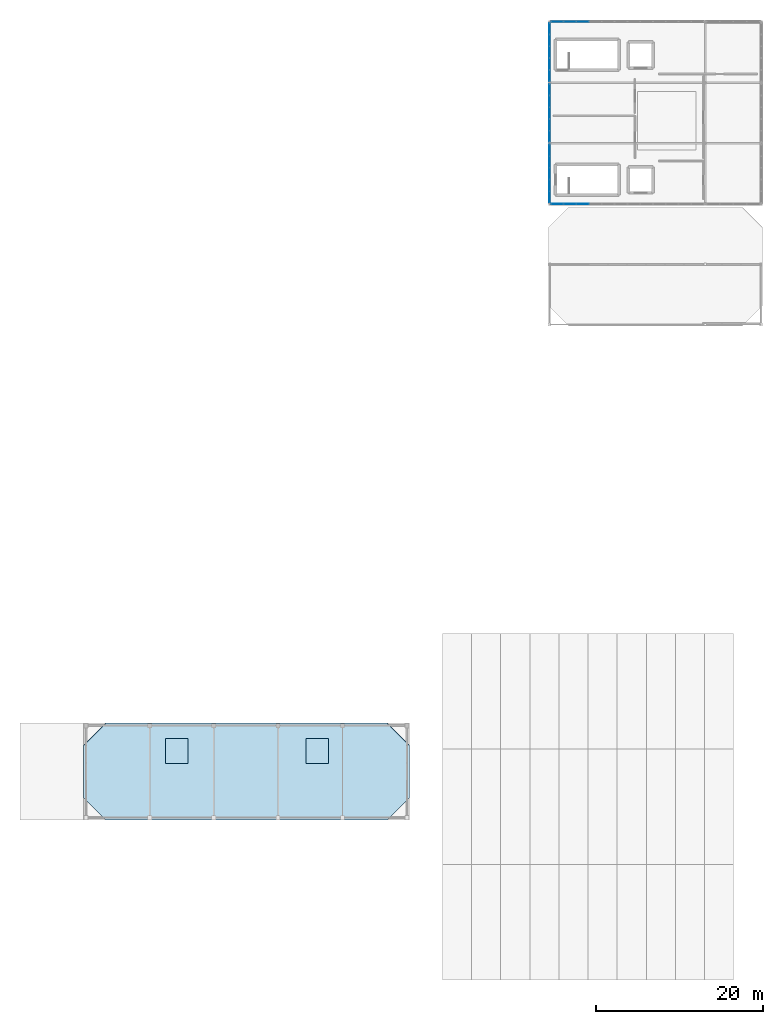
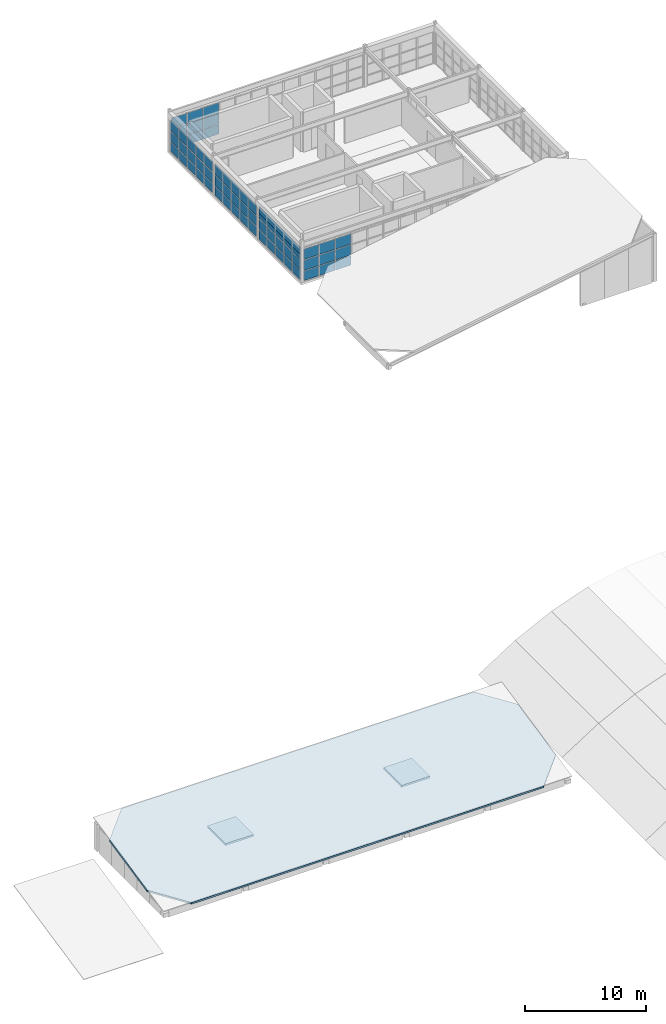
# One storey, part 14 of 19: 64 plates, 3 slabs, 5 elements without a shape of their own.
"""IFC4 building model written with IfcOpenShell, lengths in metres."""

from ifc_helpers import new_model, si_unit, direction, frame, origin, origin_2d, place, context, subcontext, project, spatial, polyline, rectangle, outline, extrude, material, layer, layer_set, type_object, element, aggregate, save


model = new_model("IFC4")

# Units and contexts
model_context = context("Model", 3, precision=1e-05, world=origin(), true_north=direction((0.0, 1.0)))
body_context = subcontext(model_context, "Body", "Model", "MODEL_VIEW")
ifc_project = project(units=[si_unit("LENGTHUNIT", "METRE"), si_unit("AREAUNIT", "SQUARE_METRE"), si_unit("VOLUMEUNIT", "CUBIC_METRE"), si_unit("PLANEANGLEUNIT", "RADIAN"), si_unit("MASSUNIT", "GRAM", prefix="KILO")], contexts=[model_context])

# Site, building, storey
site_placement = place(None, origin())
site = spatial("IfcSite", under=ifc_project, at=site_placement, CompositionType="ELEMENT")
building_placement = place(site_placement, origin())
building = spatial("IfcBuilding", under=site, at=building_placement, Name="Candilejo Ridge Gondola Terminal", CompositionType="ELEMENT")
storey_placement = place(building_placement, frame((0.0, 0.0, 22.800048828125)))
storey = spatial("IfcBuildingStorey", under=building, at=storey_placement, Name="L05", CompositionType="ELEMENT", Elevation=22.800048828125)

# Curtain wall, plates
ifc_material_1 = material(Name="Anodised aluminium AA 6063-T6", Category="aluminium")
ifc_layer_1 = layer(ifc_material_1, 0.169921875)
ifc_layer_set_1 = layer_set([ifc_layer_1], Name="ARC-CW-TOWER-3000-700X329")
curtain_wall_type_1 = type_object("IfcCurtainWallType", Name="ARC-CW-TOWER-3000-700X329", PredefinedType="NOTDEFINED", material=ifc_layer_set_1)
curtain_wall_1_placement = place(storey_placement, origin())
curtain_wall_1 = element("IfcCurtainWall", 1, at=curtain_wall_1_placement, inside=storey, type_object=curtain_wall_type_1, Name="Curtain wall V5 L05-226", PredefinedType="NOTDEFINED")
ifc_material_2 = material(Name="Low-E laminated double glazing 6+12A+6+1.52PVB+6 mm", Category="glass")
ifc_layer_2 = layer(ifc_material_2, 0.028076171875)
ifc_layer_set_2 = layer_set([ifc_layer_2], Name="ARC-CW-GLAZ-PANEL")
plate_type_1 = type_object("IfcPlateType", Name="ARC-CW-GLAZ-PANEL", PredefinedType="CURTAIN_PANEL", material=ifc_layer_set_2)
plate_1_placement = place(storey_placement, frame((150.0, 99.891357421875, 0.06005859375), z_axis=(0.0, 0.0, 1.0), x_axis=(0.0, 1.0, 0.0)))
plate_1 = element("IfcPlate", 2, at=plate_1_placement, type_object=plate_type_1, Name="CW-70X32 panel 1.1", PredefinedType="CURTAIN_PANEL", context=body_context, shape_type="SweptSolid", body=[
    extrude(rectangle(XDim=1.302490234375, YDim=0.028076171875, at=origin_2d()), origin(), (0.0, 0.0, 1.0), 0.9599609375),
])
plate_2_placement = place(storey_placement, frame((150.0, 99.891357421875, 1.079833984375), z_axis=(0.0, 0.0, 1.0), x_axis=(0.0, 1.0, 0.0)))
plate_2 = element("IfcPlate", 3, at=plate_2_placement, type_object=plate_type_1, Name="CW-70X32 panel 1.2", PredefinedType="CURTAIN_PANEL", context=body_context, shape_type="SweptSolid", body=[
    extrude(rectangle(XDim=1.302490234375, YDim=0.028076171875, at=origin_2d()), origin(), (0.0, 0.0, 1.0), 1.0400390625),
])
plate_3_placement = place(storey_placement, frame((150.0, 99.891357421875, 2.1796875), z_axis=(0.0, 0.0, 1.0), x_axis=(0.0, 1.0, 0.0)))
plate_3 = element("IfcPlate", 4, at=plate_3_placement, type_object=plate_type_1, Name="CW-70X32 panel 1.3", PredefinedType="CURTAIN_PANEL", context=body_context, shape_type="SweptSolid", body=[
    extrude(rectangle(XDim=1.302490234375, YDim=0.028076171875, at=origin_2d()), origin(), (0.0, 0.0, 1.0), 1.050048828125),
])
plate_4_placement = place(storey_placement, frame((150.0, 101.27490234375, 0.06005859375), z_axis=(0.0, 0.0, 1.0), x_axis=(0.0, 1.0, 0.0)))
plate_4 = element("IfcPlate", 5, at=plate_4_placement, type_object=plate_type_1, Name="CW-70X32 panel 2.1", PredefinedType="CURTAIN_PANEL", context=body_context, shape_type="SweptSolid", body=[
    extrude(rectangle(XDim=1.3349609375, YDim=0.028076171875, at=origin_2d()), origin(), (0.0, 0.0, 1.0), 0.9599609375),
])
plate_5_placement = place(storey_placement, frame((150.0, 101.27490234375, 1.079833984375), z_axis=(0.0, 0.0, 1.0), x_axis=(0.0, 1.0, 0.0)))
plate_5 = element("IfcPlate", 6, at=plate_5_placement, type_object=plate_type_1, Name="CW-70X32 panel 2.2", PredefinedType="CURTAIN_PANEL", context=body_context, shape_type="SweptSolid", body=[
    extrude(rectangle(XDim=1.3349609375, YDim=0.028076171875, at=origin_2d()), origin(), (0.0, 0.0, 1.0), 1.0400390625),
])
plate_6_placement = place(storey_placement, frame((150.0, 101.27490234375, 2.1796875), z_axis=(0.0, 0.0, 1.0), x_axis=(0.0, 1.0, 0.0)))
plate_6 = element("IfcPlate", 7, at=plate_6_placement, type_object=plate_type_1, Name="CW-70X32 panel 2.3", PredefinedType="CURTAIN_PANEL", context=body_context, shape_type="SweptSolid", body=[
    extrude(rectangle(XDim=1.3349609375, YDim=0.028076171875, at=origin_2d()), origin(), (0.0, 0.0, 1.0), 1.050048828125),
])
plate_7_placement = place(storey_placement, frame((150.0, 102.675048828125, 0.06005859375), z_axis=(0.0, 0.0, 1.0), x_axis=(0.0, 1.0, 0.0)))
plate_7 = element("IfcPlate", 8, at=plate_7_placement, type_object=plate_type_1, Name="CW-70X32 panel 3.1", PredefinedType="CURTAIN_PANEL", context=body_context, shape_type="SweptSolid", body=[
    extrude(rectangle(XDim=1.3349609375, YDim=0.028076171875, at=origin_2d()), origin(), (0.0, 0.0, 1.0), 0.9599609375),
])
plate_8_placement = place(storey_placement, frame((150.0, 102.675048828125, 1.079833984375), z_axis=(0.0, 0.0, 1.0), x_axis=(0.0, 1.0, 0.0)))
plate_8 = element("IfcPlate", 9, at=plate_8_placement, type_object=plate_type_1, Name="CW-70X32 panel 3.2", PredefinedType="CURTAIN_PANEL", context=body_context, shape_type="SweptSolid", body=[
    extrude(rectangle(XDim=1.3349609375, YDim=0.028076171875, at=origin_2d()), origin(), (0.0, 0.0, 1.0), 1.0400390625),
])
plate_9_placement = place(storey_placement, frame((150.0, 102.675048828125, 2.1796875), z_axis=(0.0, 0.0, 1.0), x_axis=(0.0, 1.0, 0.0)))
plate_9 = element("IfcPlate", 10, at=plate_9_placement, type_object=plate_type_1, Name="CW-70X32 panel 3.3", PredefinedType="CURTAIN_PANEL", context=body_context, shape_type="SweptSolid", body=[
    extrude(rectangle(XDim=1.3349609375, YDim=0.028076171875, at=origin_2d()), origin(), (0.0, 0.0, 1.0), 1.050048828125),
])
plate_10_placement = place(storey_placement, frame((150.0, 104.074951171875, 0.06005859375), z_axis=(0.0, 0.0, 1.0), x_axis=(0.0, 1.0, 0.0)))
plate_10 = element("IfcPlate", 11, at=plate_10_placement, type_object=plate_type_1, Name="CW-70X32 panel 4.1", PredefinedType="CURTAIN_PANEL", context=body_context, shape_type="SweptSolid", body=[
    extrude(rectangle(XDim=1.3349609375, YDim=0.028076171875, at=origin_2d()), origin(), (0.0, 0.0, 1.0), 0.9599609375),
])
plate_11_placement = place(storey_placement, frame((150.0, 104.074951171875, 1.079833984375), z_axis=(0.0, 0.0, 1.0), x_axis=(0.0, 1.0, 0.0)))
plate_11 = element("IfcPlate", 12, at=plate_11_placement, type_object=plate_type_1, Name="CW-70X32 panel 4.2", PredefinedType="CURTAIN_PANEL", context=body_context, shape_type="SweptSolid", body=[
    extrude(rectangle(XDim=1.3349609375, YDim=0.028076171875, at=origin_2d()), origin(), (0.0, 0.0, 1.0), 1.0400390625),
])
plate_12_placement = place(storey_placement, frame((150.0, 104.074951171875, 2.1796875), z_axis=(0.0, 0.0, 1.0), x_axis=(0.0, 1.0, 0.0)))
plate_12 = element("IfcPlate", 13, at=plate_12_placement, type_object=plate_type_1, Name="CW-70X32 panel 4.3", PredefinedType="CURTAIN_PANEL", context=body_context, shape_type="SweptSolid", body=[
    extrude(rectangle(XDim=1.3349609375, YDim=0.028076171875, at=origin_2d()), origin(), (0.0, 0.0, 1.0), 1.050048828125),
])
plate_13_placement = place(storey_placement, frame((150.0, 105.458740234375, 0.06005859375), z_axis=(0.0, 0.0, 1.0), x_axis=(0.0, 1.0, 0.0)))
plate_13 = element("IfcPlate", 14, at=plate_13_placement, type_object=plate_type_1, Name="CW-70X32 panel 5.1", PredefinedType="CURTAIN_PANEL", context=body_context, shape_type="SweptSolid", body=[
    extrude(rectangle(XDim=1.302490234375, YDim=0.028076171875, at=origin_2d()), origin(), (0.0, 0.0, 1.0), 0.9599609375),
])
plate_14_placement = place(storey_placement, frame((150.0, 105.458740234375, 1.079833984375), z_axis=(0.0, 0.0, 1.0), x_axis=(0.0, 1.0, 0.0)))
plate_14 = element("IfcPlate", 15, at=plate_14_placement, type_object=plate_type_1, Name="CW-70X32 panel 5.2", PredefinedType="CURTAIN_PANEL", context=body_context, shape_type="SweptSolid", body=[
    extrude(rectangle(XDim=1.302490234375, YDim=0.028076171875, at=origin_2d()), origin(), (0.0, 0.0, 1.0), 1.0400390625),
])
plate_15_placement = place(storey_placement, frame((150.0, 105.458740234375, 2.1796875), z_axis=(0.0, 0.0, 1.0), x_axis=(0.0, 1.0, 0.0)))
plate_15 = element("IfcPlate", 16, at=plate_15_placement, type_object=plate_type_1, Name="CW-70X32 panel 5.3", PredefinedType="CURTAIN_PANEL", context=body_context, shape_type="SweptSolid", body=[
    extrude(rectangle(XDim=1.302490234375, YDim=0.028076171875, at=origin_2d()), origin(), (0.0, 0.0, 1.0), 1.050048828125),
])
aggregate(curtain_wall_1, [plate_1, plate_2, plate_3, plate_4, plate_5, plate_6, plate_7, plate_8, plate_9, plate_10, plate_11, plate_12, plate_13, plate_14, plate_15])

curtain_wall_2_placement = place(storey_placement, origin())
curtain_wall_2 = element("IfcCurtainWall", 17, at=curtain_wall_2_placement, inside=storey, type_object=curtain_wall_type_1, Name="Curtain wall V5 L05-228", PredefinedType="NOTDEFINED")
plate_16_placement = place(storey_placement, frame((150.0, 107.141357421875, 0.06005859375), z_axis=(0.0, 0.0, 1.0), x_axis=(0.0, 1.0, 0.0)))
plate_16 = element("IfcPlate", 18, at=plate_16_placement, type_object=plate_type_1, Name="CW-70X32 panel 1.1", PredefinedType="CURTAIN_PANEL", context=body_context, shape_type="SweptSolid", body=[
    extrude(rectangle(XDim=1.302490234375, YDim=0.028076171875, at=origin_2d()), origin(), (0.0, 0.0, 1.0), 0.9599609375),
])
plate_17_placement = place(storey_placement, frame((150.0, 107.141357421875, 1.079833984375), z_axis=(0.0, 0.0, 1.0), x_axis=(0.0, 1.0, 0.0)))
plate_17 = element("IfcPlate", 19, at=plate_17_placement, type_object=plate_type_1, Name="CW-70X32 panel 1.2", PredefinedType="CURTAIN_PANEL", context=body_context, shape_type="SweptSolid", body=[
    extrude(rectangle(XDim=1.302490234375, YDim=0.028076171875, at=origin_2d()), origin(), (0.0, 0.0, 1.0), 1.0400390625),
])
plate_18_placement = place(storey_placement, frame((150.0, 107.141357421875, 2.1796875), z_axis=(0.0, 0.0, 1.0), x_axis=(0.0, 1.0, 0.0)))
plate_18 = element("IfcPlate", 20, at=plate_18_placement, type_object=plate_type_1, Name="CW-70X32 panel 1.3", PredefinedType="CURTAIN_PANEL", context=body_context, shape_type="SweptSolid", body=[
    extrude(rectangle(XDim=1.302490234375, YDim=0.028076171875, at=origin_2d()), origin(), (0.0, 0.0, 1.0), 1.050048828125),
])
plate_19_placement = place(storey_placement, frame((150.0, 108.52490234375, 0.06005859375), z_axis=(0.0, 0.0, 1.0), x_axis=(0.0, 1.0, 0.0)))
plate_19 = element("IfcPlate", 21, at=plate_19_placement, type_object=plate_type_1, Name="CW-70X32 panel 2.1", PredefinedType="CURTAIN_PANEL", context=body_context, shape_type="SweptSolid", body=[
    extrude(rectangle(XDim=1.3349609375, YDim=0.028076171875, at=origin_2d()), origin(), (0.0, 0.0, 1.0), 0.9599609375),
])
plate_20_placement = place(storey_placement, frame((150.0, 108.52490234375, 1.079833984375), z_axis=(0.0, 0.0, 1.0), x_axis=(0.0, 1.0, 0.0)))
plate_20 = element("IfcPlate", 22, at=plate_20_placement, type_object=plate_type_1, Name="CW-70X32 panel 2.2", PredefinedType="CURTAIN_PANEL", context=body_context, shape_type="SweptSolid", body=[
    extrude(rectangle(XDim=1.3349609375, YDim=0.028076171875, at=origin_2d()), origin(), (0.0, 0.0, 1.0), 1.0400390625),
])
plate_21_placement = place(storey_placement, frame((150.0, 108.52490234375, 2.1796875), z_axis=(0.0, 0.0, 1.0), x_axis=(0.0, 1.0, 0.0)))
plate_21 = element("IfcPlate", 23, at=plate_21_placement, type_object=plate_type_1, Name="CW-70X32 panel 2.3", PredefinedType="CURTAIN_PANEL", context=body_context, shape_type="SweptSolid", body=[
    extrude(rectangle(XDim=1.3349609375, YDim=0.028076171875, at=origin_2d()), origin(), (0.0, 0.0, 1.0), 1.050048828125),
])
plate_22_placement = place(storey_placement, frame((150.0, 109.925048828125, 0.06005859375), z_axis=(0.0, 0.0, 1.0), x_axis=(0.0, 1.0, 0.0)))
plate_22 = element("IfcPlate", 24, at=plate_22_placement, type_object=plate_type_1, Name="CW-70X32 panel 3.1", PredefinedType="CURTAIN_PANEL", context=body_context, shape_type="SweptSolid", body=[
    extrude(rectangle(XDim=1.3349609375, YDim=0.028076171875, at=origin_2d()), origin(), (0.0, 0.0, 1.0), 0.9599609375),
])
plate_23_placement = place(storey_placement, frame((150.0, 109.925048828125, 1.079833984375), z_axis=(0.0, 0.0, 1.0), x_axis=(0.0, 1.0, 0.0)))
plate_23 = element("IfcPlate", 25, at=plate_23_placement, type_object=plate_type_1, Name="CW-70X32 panel 3.2", PredefinedType="CURTAIN_PANEL", context=body_context, shape_type="SweptSolid", body=[
    extrude(rectangle(XDim=1.3349609375, YDim=0.028076171875, at=origin_2d()), origin(), (0.0, 0.0, 1.0), 1.0400390625),
])
plate_24_placement = place(storey_placement, frame((150.0, 109.925048828125, 2.1796875), z_axis=(0.0, 0.0, 1.0), x_axis=(0.0, 1.0, 0.0)))
plate_24 = element("IfcPlate", 26, at=plate_24_placement, type_object=plate_type_1, Name="CW-70X32 panel 3.3", PredefinedType="CURTAIN_PANEL", context=body_context, shape_type="SweptSolid", body=[
    extrude(rectangle(XDim=1.3349609375, YDim=0.028076171875, at=origin_2d()), origin(), (0.0, 0.0, 1.0), 1.050048828125),
])
plate_25_placement = place(storey_placement, frame((150.0, 111.324951171875, 0.06005859375), z_axis=(0.0, 0.0, 1.0), x_axis=(0.0, 1.0, 0.0)))
plate_25 = element("IfcPlate", 27, at=plate_25_placement, type_object=plate_type_1, Name="CW-70X32 panel 4.1", PredefinedType="CURTAIN_PANEL", context=body_context, shape_type="SweptSolid", body=[
    extrude(rectangle(XDim=1.3349609375, YDim=0.028076171875, at=origin_2d()), origin(), (0.0, 0.0, 1.0), 0.9599609375),
])
plate_26_placement = place(storey_placement, frame((150.0, 111.324951171875, 1.079833984375), z_axis=(0.0, 0.0, 1.0), x_axis=(0.0, 1.0, 0.0)))
plate_26 = element("IfcPlate", 28, at=plate_26_placement, type_object=plate_type_1, Name="CW-70X32 panel 4.2", PredefinedType="CURTAIN_PANEL", context=body_context, shape_type="SweptSolid", body=[
    extrude(rectangle(XDim=1.3349609375, YDim=0.028076171875, at=origin_2d()), origin(), (0.0, 0.0, 1.0), 1.0400390625),
])
plate_27_placement = place(storey_placement, frame((150.0, 111.324951171875, 2.1796875), z_axis=(0.0, 0.0, 1.0), x_axis=(0.0, 1.0, 0.0)))
plate_27 = element("IfcPlate", 29, at=plate_27_placement, type_object=plate_type_1, Name="CW-70X32 panel 4.3", PredefinedType="CURTAIN_PANEL", context=body_context, shape_type="SweptSolid", body=[
    extrude(rectangle(XDim=1.3349609375, YDim=0.028076171875, at=origin_2d()), origin(), (0.0, 0.0, 1.0), 1.050048828125),
])
plate_28_placement = place(storey_placement, frame((150.0, 112.708740234375, 0.06005859375), z_axis=(0.0, 0.0, 1.0), x_axis=(0.0, 1.0, 0.0)))
plate_28 = element("IfcPlate", 30, at=plate_28_placement, type_object=plate_type_1, Name="CW-70X32 panel 5.1", PredefinedType="CURTAIN_PANEL", context=body_context, shape_type="SweptSolid", body=[
    extrude(rectangle(XDim=1.302490234375, YDim=0.028076171875, at=origin_2d()), origin(), (0.0, 0.0, 1.0), 0.9599609375),
])
plate_29_placement = place(storey_placement, frame((150.0, 112.708740234375, 1.079833984375), z_axis=(0.0, 0.0, 1.0), x_axis=(0.0, 1.0, 0.0)))
plate_29 = element("IfcPlate", 31, at=plate_29_placement, type_object=plate_type_1, Name="CW-70X32 panel 5.2", PredefinedType="CURTAIN_PANEL", context=body_context, shape_type="SweptSolid", body=[
    extrude(rectangle(XDim=1.302490234375, YDim=0.028076171875, at=origin_2d()), origin(), (0.0, 0.0, 1.0), 1.0400390625),
])
plate_30_placement = place(storey_placement, frame((150.0, 112.708740234375, 2.1796875), z_axis=(0.0, 0.0, 1.0), x_axis=(0.0, 1.0, 0.0)))
plate_30 = element("IfcPlate", 32, at=plate_30_placement, type_object=plate_type_1, Name="CW-70X32 panel 5.3", PredefinedType="CURTAIN_PANEL", context=body_context, shape_type="SweptSolid", body=[
    extrude(rectangle(XDim=1.302490234375, YDim=0.028076171875, at=origin_2d()), origin(), (0.0, 0.0, 1.0), 1.050048828125),
])
aggregate(curtain_wall_2, [plate_16, plate_17, plate_18, plate_19, plate_20, plate_21, plate_22, plate_23, plate_24, plate_25, plate_26, plate_27, plate_28, plate_29, plate_30])

ifc_material_3 = material(Name="Anodised aluminium AA 6063-T6", Category="aluminium")
ifc_layer_3 = layer(ifc_material_3, 0.169921875)
ifc_layer_set_3 = layer_set([ifc_layer_3], Name="ARC-CW-TOWER-3000-705X329")
curtain_wall_type_2 = type_object("IfcCurtainWallType", Name="ARC-CW-TOWER-3000-705X329", PredefinedType="NOTDEFINED", material=ifc_layer_set_3)
curtain_wall_3_placement = place(storey_placement, origin())
curtain_wall_3 = element("IfcCurtainWall", 33, at=curtain_wall_3_placement, inside=storey, type_object=curtain_wall_type_2, Name="Curtain wall V5 L05-230", PredefinedType="NOTDEFINED")
plate_31_placement = place(storey_placement, frame((150.0, 114.396240234375, 0.06005859375), z_axis=(0.0, 0.0, 1.0), x_axis=(0.0, 1.0, 0.0)))
plate_31 = element("IfcPlate", 34, at=plate_31_placement, type_object=plate_type_1, Name="CW-70X32 panel 1.1", PredefinedType="CURTAIN_PANEL", context=body_context, shape_type="SweptSolid", body=[
    extrude(rectangle(XDim=1.3125, YDim=0.028076171875, at=origin_2d()), origin(), (0.0, 0.0, 1.0), 0.9599609375),
])
plate_32_placement = place(storey_placement, frame((150.0, 114.396240234375, 1.079833984375), z_axis=(0.0, 0.0, 1.0), x_axis=(0.0, 1.0, 0.0)))
plate_32 = element("IfcPlate", 35, at=plate_32_placement, type_object=plate_type_1, Name="CW-70X32 panel 1.2", PredefinedType="CURTAIN_PANEL", context=body_context, shape_type="SweptSolid", body=[
    extrude(rectangle(XDim=1.3125, YDim=0.028076171875, at=origin_2d()), origin(), (0.0, 0.0, 1.0), 1.0400390625),
])
plate_33_placement = place(storey_placement, frame((150.0, 114.396240234375, 2.1796875), z_axis=(0.0, 0.0, 1.0), x_axis=(0.0, 1.0, 0.0)))
plate_33 = element("IfcPlate", 36, at=plate_33_placement, type_object=plate_type_1, Name="CW-70X32 panel 1.3", PredefinedType="CURTAIN_PANEL", context=body_context, shape_type="SweptSolid", body=[
    extrude(rectangle(XDim=1.3125, YDim=0.028076171875, at=origin_2d()), origin(), (0.0, 0.0, 1.0), 1.050048828125),
])
plate_34_placement = place(storey_placement, frame((150.0, 115.7900390625, 0.06005859375), z_axis=(0.0, 0.0, 1.0), x_axis=(0.0, 1.0, 0.0)))
plate_34 = element("IfcPlate", 37, at=plate_34_placement, type_object=plate_type_1, Name="CW-70X32 panel 2.1", PredefinedType="CURTAIN_PANEL", context=body_context, shape_type="SweptSolid", body=[
    extrude(rectangle(XDim=1.344970703125, YDim=0.028076171875, at=origin_2d()), origin(), (0.0, 0.0, 1.0), 0.9599609375),
])
plate_35_placement = place(storey_placement, frame((150.0, 115.7900390625, 1.079833984375), z_axis=(0.0, 0.0, 1.0), x_axis=(0.0, 1.0, 0.0)))
plate_35 = element("IfcPlate", 38, at=plate_35_placement, type_object=plate_type_1, Name="CW-70X32 panel 2.2", PredefinedType="CURTAIN_PANEL", context=body_context, shape_type="SweptSolid", body=[
    extrude(rectangle(XDim=1.344970703125, YDim=0.028076171875, at=origin_2d()), origin(), (0.0, 0.0, 1.0), 1.0400390625),
])
plate_36_placement = place(storey_placement, frame((150.0, 115.7900390625, 2.1796875), z_axis=(0.0, 0.0, 1.0), x_axis=(0.0, 1.0, 0.0)))
plate_36 = element("IfcPlate", 39, at=plate_36_placement, type_object=plate_type_1, Name="CW-70X32 panel 2.3", PredefinedType="CURTAIN_PANEL", context=body_context, shape_type="SweptSolid", body=[
    extrude(rectangle(XDim=1.344970703125, YDim=0.028076171875, at=origin_2d()), origin(), (0.0, 0.0, 1.0), 1.050048828125),
])
plate_37_placement = place(storey_placement, frame((150.0, 117.199951171875, 0.06005859375), z_axis=(0.0, 0.0, 1.0), x_axis=(0.0, 1.0, 0.0)))
plate_37 = element("IfcPlate", 40, at=plate_37_placement, type_object=plate_type_1, Name="CW-70X32 panel 3.1", PredefinedType="CURTAIN_PANEL", context=body_context, shape_type="SweptSolid", body=[
    extrude(rectangle(XDim=1.344970703125, YDim=0.028076171875, at=origin_2d()), origin(), (0.0, 0.0, 1.0), 0.9599609375),
])
plate_38_placement = place(storey_placement, frame((150.0, 117.199951171875, 1.079833984375), z_axis=(0.0, 0.0, 1.0), x_axis=(0.0, 1.0, 0.0)))
plate_38 = element("IfcPlate", 41, at=plate_38_placement, type_object=plate_type_1, Name="CW-70X32 panel 3.2", PredefinedType="CURTAIN_PANEL", context=body_context, shape_type="SweptSolid", body=[
    extrude(rectangle(XDim=1.344970703125, YDim=0.028076171875, at=origin_2d()), origin(), (0.0, 0.0, 1.0), 1.0400390625),
])
plate_39_placement = place(storey_placement, frame((150.0, 117.199951171875, 2.1796875), z_axis=(0.0, 0.0, 1.0), x_axis=(0.0, 1.0, 0.0)))
plate_39 = element("IfcPlate", 42, at=plate_39_placement, type_object=plate_type_1, Name="CW-70X32 panel 3.3", PredefinedType="CURTAIN_PANEL", context=body_context, shape_type="SweptSolid", body=[
    extrude(rectangle(XDim=1.344970703125, YDim=0.028076171875, at=origin_2d()), origin(), (0.0, 0.0, 1.0), 1.050048828125),
])
plate_40_placement = place(storey_placement, frame((150.0, 118.610107421875, 0.06005859375), z_axis=(0.0, 0.0, 1.0), x_axis=(0.0, 1.0, 0.0)))
plate_40 = element("IfcPlate", 43, at=plate_40_placement, type_object=plate_type_1, Name="CW-70X32 panel 4.1", PredefinedType="CURTAIN_PANEL", context=body_context, shape_type="SweptSolid", body=[
    extrude(rectangle(XDim=1.344970703125, YDim=0.028076171875, at=origin_2d()), origin(), (0.0, 0.0, 1.0), 0.9599609375),
])
plate_41_placement = place(storey_placement, frame((150.0, 118.610107421875, 1.079833984375), z_axis=(0.0, 0.0, 1.0), x_axis=(0.0, 1.0, 0.0)))
plate_41 = element("IfcPlate", 44, at=plate_41_placement, type_object=plate_type_1, Name="CW-70X32 panel 4.2", PredefinedType="CURTAIN_PANEL", context=body_context, shape_type="SweptSolid", body=[
    extrude(rectangle(XDim=1.344970703125, YDim=0.028076171875, at=origin_2d()), origin(), (0.0, 0.0, 1.0), 1.0400390625),
])
plate_42_placement = place(storey_placement, frame((150.0, 118.610107421875, 2.1796875), z_axis=(0.0, 0.0, 1.0), x_axis=(0.0, 1.0, 0.0)))
plate_42 = element("IfcPlate", 45, at=plate_42_placement, type_object=plate_type_1, Name="CW-70X32 panel 4.3", PredefinedType="CURTAIN_PANEL", context=body_context, shape_type="SweptSolid", body=[
    extrude(rectangle(XDim=1.344970703125, YDim=0.028076171875, at=origin_2d()), origin(), (0.0, 0.0, 1.0), 1.050048828125),
])
plate_43_placement = place(storey_placement, frame((150.0, 120.003662109375, 0.06005859375), z_axis=(0.0, 0.0, 1.0), x_axis=(0.0, 1.0, 0.0)))
plate_43 = element("IfcPlate", 46, at=plate_43_placement, type_object=plate_type_1, Name="CW-70X32 panel 5.1", PredefinedType="CURTAIN_PANEL", context=body_context, shape_type="SweptSolid", body=[
    extrude(rectangle(XDim=1.3125, YDim=0.028076171875, at=origin_2d()), origin(), (0.0, 0.0, 1.0), 0.9599609375),
])
plate_44_placement = place(storey_placement, frame((150.0, 120.003662109375, 1.079833984375), z_axis=(0.0, 0.0, 1.0), x_axis=(0.0, 1.0, 0.0)))
plate_44 = element("IfcPlate", 47, at=plate_44_placement, type_object=plate_type_1, Name="CW-70X32 panel 5.2", PredefinedType="CURTAIN_PANEL", context=body_context, shape_type="SweptSolid", body=[
    extrude(rectangle(XDim=1.3125, YDim=0.028076171875, at=origin_2d()), origin(), (0.0, 0.0, 1.0), 1.0400390625),
])
plate_45_placement = place(storey_placement, frame((150.0, 120.003662109375, 2.1796875), z_axis=(0.0, 0.0, 1.0), x_axis=(0.0, 1.0, 0.0)))
plate_45 = element("IfcPlate", 48, at=plate_45_placement, type_object=plate_type_1, Name="CW-70X32 panel 5.3", PredefinedType="CURTAIN_PANEL", context=body_context, shape_type="SweptSolid", body=[
    extrude(rectangle(XDim=1.3125, YDim=0.028076171875, at=origin_2d()), origin(), (0.0, 0.0, 1.0), 1.050048828125),
])
aggregate(curtain_wall_3, [plate_31, plate_32, plate_33, plate_34, plate_35, plate_36, plate_37, plate_38, plate_39, plate_40, plate_41, plate_42, plate_43, plate_44, plate_45])

ifc_material_4 = material(Name="Anodised aluminium AA 6063-T6", Category="aluminium")
ifc_layer_4 = layer(ifc_material_4, 0.169921875)
ifc_layer_set_4 = layer_set([ifc_layer_4], Name="ARC-CW-TOWER-3000-1835X329")
curtain_wall_type_3 = type_object("IfcCurtainWallType", Name="ARC-CW-TOWER-3000-1835X329", PredefinedType="NOTDEFINED", material=ifc_layer_set_4)
curtain_wall_4_placement = place(storey_placement, origin())
curtain_wall_4 = element("IfcCurtainWall", 49, at=curtain_wall_4_placement, inside=storey, type_object=curtain_wall_type_3, Name="Curtain wall V5 L05-232", PredefinedType="NOTDEFINED")
plate_46_placement = place(storey_placement, frame((150.90576171875, 99.050048828125, 0.06005859375), z_axis=(0.0, 0.0, 1.0), x_axis=(1.0, 0.0, 0.0)))
plate_46 = element("IfcPlate", 50, at=plate_46_placement, type_object=plate_type_1, Name="CW-183X32 panel 1.1", PredefinedType="CURTAIN_PANEL", context=body_context, shape_type="SweptSolid", body=[
    extrude(rectangle(XDim=1.431640625, YDim=0.028076171875, at=origin_2d()), origin(), (0.0, 0.0, 1.0), 0.9599609375),
])
plate_47_placement = place(storey_placement, frame((150.90576171875, 99.050048828125, 1.079833984375), z_axis=(0.0, 0.0, 1.0), x_axis=(1.0, 0.0, 0.0)))
plate_47 = element("IfcPlate", 51, at=plate_47_placement, type_object=plate_type_1, Name="CW-183X32 panel 1.2", PredefinedType="CURTAIN_PANEL", context=body_context, shape_type="SweptSolid", body=[
    extrude(rectangle(XDim=1.431640625, YDim=0.028076171875, at=origin_2d()), origin(), (0.0, 0.0, 1.0), 1.0400390625),
])
plate_48_placement = place(storey_placement, frame((150.90576171875, 99.050048828125, 2.1796875), z_axis=(0.0, 0.0, 1.0), x_axis=(1.0, 0.0, 0.0)))
plate_48 = element("IfcPlate", 52, at=plate_48_placement, type_object=plate_type_1, Name="CW-183X32 panel 1.3", PredefinedType="CURTAIN_PANEL", context=body_context, shape_type="SweptSolid", body=[
    extrude(rectangle(XDim=1.431640625, YDim=0.028076171875, at=origin_2d()), origin(), (0.0, 0.0, 1.0), 1.050048828125),
])
plate_49_placement = place(storey_placement, frame((152.418701171875, 99.050048828125, 0.06005859375), z_axis=(0.0, 0.0, 1.0), x_axis=(1.0, 0.0, 0.0)))
plate_49 = element("IfcPlate", 53, at=plate_49_placement, type_object=plate_type_1, Name="CW-183X32 panel 2.1", PredefinedType="CURTAIN_PANEL", context=body_context, shape_type="SweptSolid", body=[
    extrude(rectangle(XDim=1.464111328125, YDim=0.028076171875, at=origin_2d()), origin(), (0.0, 0.0, 1.0), 0.9599609375),
])
plate_50_placement = place(storey_placement, frame((152.418701171875, 99.050048828125, 1.079833984375), z_axis=(0.0, 0.0, 1.0), x_axis=(1.0, 0.0, 0.0)))
plate_50 = element("IfcPlate", 54, at=plate_50_placement, type_object=plate_type_1, Name="CW-183X32 panel 2.2", PredefinedType="CURTAIN_PANEL", context=body_context, shape_type="SweptSolid", body=[
    extrude(rectangle(XDim=1.464111328125, YDim=0.028076171875, at=origin_2d()), origin(), (0.0, 0.0, 1.0), 1.0400390625),
])
plate_51_placement = place(storey_placement, frame((152.418701171875, 99.050048828125, 2.1796875), z_axis=(0.0, 0.0, 1.0), x_axis=(1.0, 0.0, 0.0)))
plate_51 = element("IfcPlate", 55, at=plate_51_placement, type_object=plate_type_1, Name="CW-183X32 panel 2.3", PredefinedType="CURTAIN_PANEL", context=body_context, shape_type="SweptSolid", body=[
    extrude(rectangle(XDim=1.464111328125, YDim=0.028076171875, at=origin_2d()), origin(), (0.0, 0.0, 1.0), 1.050048828125),
])
plate_52_placement = place(storey_placement, frame((153.947998046875, 99.050048828125, 0.06005859375), z_axis=(0.0, 0.0, 1.0), x_axis=(1.0, 0.0, 0.0)))
plate_52 = element("IfcPlate", 56, at=plate_52_placement, type_object=plate_type_1, Name="CW-183X32 panel 3.1", PredefinedType="CURTAIN_PANEL", context=body_context, shape_type="SweptSolid", body=[
    extrude(rectangle(XDim=1.464111328125, YDim=0.028076171875, at=origin_2d()), origin(), (0.0, 0.0, 1.0), 0.9599609375),
])
plate_53_placement = place(storey_placement, frame((153.947998046875, 99.050048828125, 1.079833984375), z_axis=(0.0, 0.0, 1.0), x_axis=(1.0, 0.0, 0.0)))
plate_53 = element("IfcPlate", 57, at=plate_53_placement, type_object=plate_type_1, Name="CW-183X32 panel 3.2", PredefinedType="CURTAIN_PANEL", context=body_context, shape_type="SweptSolid", body=[
    extrude(rectangle(XDim=1.464111328125, YDim=0.028076171875, at=origin_2d()), origin(), (0.0, 0.0, 1.0), 1.0400390625),
])
plate_54_placement = place(storey_placement, frame((153.947998046875, 99.050048828125, 2.1796875), z_axis=(0.0, 0.0, 1.0), x_axis=(1.0, 0.0, 0.0)))
plate_54 = element("IfcPlate", 58, at=plate_54_placement, type_object=plate_type_1, Name="CW-183X32 panel 3.3", PredefinedType="CURTAIN_PANEL", context=body_context, shape_type="SweptSolid", body=[
    extrude(rectangle(XDim=1.464111328125, YDim=0.028076171875, at=origin_2d()), origin(), (0.0, 0.0, 1.0), 1.050048828125),
])
aggregate(curtain_wall_4, [plate_46, plate_47, plate_48, plate_49, plate_50, plate_51, plate_52, plate_53, plate_54])

curtain_wall_5_placement = place(storey_placement, origin())
curtain_wall_5 = element("IfcCurtainWall", 59, at=curtain_wall_5_placement, inside=storey, type_object=curtain_wall_type_3, Name="Curtain wall V5 L05-233", PredefinedType="NOTDEFINED")
plate_55_placement = place(storey_placement, frame((150.90576171875, 120.85009765625, 0.06005859375), z_axis=(0.0, 0.0, 1.0), x_axis=(1.0, 0.0, 0.0)))
plate_55 = element("IfcPlate", 60, at=plate_55_placement, type_object=plate_type_1, Name="CW-183X32 panel 1.1", PredefinedType="CURTAIN_PANEL", context=body_context, shape_type="SweptSolid", body=[
    extrude(rectangle(XDim=1.431640625, YDim=0.028076171875, at=origin_2d()), origin(), (0.0, 0.0, 1.0), 0.9599609375),
])
plate_56_placement = place(storey_placement, frame((150.90576171875, 120.85009765625, 1.079833984375), z_axis=(0.0, 0.0, 1.0), x_axis=(1.0, 0.0, 0.0)))
plate_56 = element("IfcPlate", 61, at=plate_56_placement, type_object=plate_type_1, Name="CW-183X32 panel 1.2", PredefinedType="CURTAIN_PANEL", context=body_context, shape_type="SweptSolid", body=[
    extrude(rectangle(XDim=1.431640625, YDim=0.028076171875, at=origin_2d()), origin(), (0.0, 0.0, 1.0), 1.0400390625),
])
plate_57_placement = place(storey_placement, frame((150.90576171875, 120.85009765625, 2.1796875), z_axis=(0.0, 0.0, 1.0), x_axis=(1.0, 0.0, 0.0)))
plate_57 = element("IfcPlate", 62, at=plate_57_placement, type_object=plate_type_1, Name="CW-183X32 panel 1.3", PredefinedType="CURTAIN_PANEL", context=body_context, shape_type="SweptSolid", body=[
    extrude(rectangle(XDim=1.431640625, YDim=0.028076171875, at=origin_2d()), origin(), (0.0, 0.0, 1.0), 1.050048828125),
])
plate_58_placement = place(storey_placement, frame((152.418701171875, 120.85009765625, 0.06005859375), z_axis=(0.0, 0.0, 1.0), x_axis=(1.0, 0.0, 0.0)))
plate_58 = element("IfcPlate", 63, at=plate_58_placement, type_object=plate_type_1, Name="CW-183X32 panel 2.1", PredefinedType="CURTAIN_PANEL", context=body_context, shape_type="SweptSolid", body=[
    extrude(rectangle(XDim=1.464111328125, YDim=0.028076171875, at=origin_2d()), origin(), (0.0, 0.0, 1.0), 0.9599609375),
])
plate_59_placement = place(storey_placement, frame((152.418701171875, 120.85009765625, 1.079833984375), z_axis=(0.0, 0.0, 1.0), x_axis=(1.0, 0.0, 0.0)))
plate_59 = element("IfcPlate", 64, at=plate_59_placement, type_object=plate_type_1, Name="CW-183X32 panel 2.2", PredefinedType="CURTAIN_PANEL", context=body_context, shape_type="SweptSolid", body=[
    extrude(rectangle(XDim=1.464111328125, YDim=0.028076171875, at=origin_2d()), origin(), (0.0, 0.0, 1.0), 1.0400390625),
])
plate_60_placement = place(storey_placement, frame((152.418701171875, 120.85009765625, 2.1796875), z_axis=(0.0, 0.0, 1.0), x_axis=(1.0, 0.0, 0.0)))
plate_60 = element("IfcPlate", 65, at=plate_60_placement, type_object=plate_type_1, Name="CW-183X32 panel 2.3", PredefinedType="CURTAIN_PANEL", context=body_context, shape_type="SweptSolid", body=[
    extrude(rectangle(XDim=1.464111328125, YDim=0.028076171875, at=origin_2d()), origin(), (0.0, 0.0, 1.0), 1.050048828125),
])
plate_61_placement = place(storey_placement, frame((153.947998046875, 120.85009765625, 0.06005859375), z_axis=(0.0, 0.0, 1.0), x_axis=(1.0, 0.0, 0.0)))
plate_61 = element("IfcPlate", 66, at=plate_61_placement, type_object=plate_type_1, Name="CW-183X32 panel 3.1", PredefinedType="CURTAIN_PANEL", context=body_context, shape_type="SweptSolid", body=[
    extrude(rectangle(XDim=1.464111328125, YDim=0.028076171875, at=origin_2d()), origin(), (0.0, 0.0, 1.0), 0.9599609375),
])
plate_62_placement = place(storey_placement, frame((153.947998046875, 120.85009765625, 1.079833984375), z_axis=(0.0, 0.0, 1.0), x_axis=(1.0, 0.0, 0.0)))
plate_62 = element("IfcPlate", 67, at=plate_62_placement, type_object=plate_type_1, Name="CW-183X32 panel 3.2", PredefinedType="CURTAIN_PANEL", context=body_context, shape_type="SweptSolid", body=[
    extrude(rectangle(XDim=1.464111328125, YDim=0.028076171875, at=origin_2d()), origin(), (0.0, 0.0, 1.0), 1.0400390625),
])
plate_63_placement = place(storey_placement, frame((153.947998046875, 120.85009765625, 2.1796875), z_axis=(0.0, 0.0, 1.0), x_axis=(1.0, 0.0, 0.0)))
plate_63 = element("IfcPlate", 68, at=plate_63_placement, type_object=plate_type_1, Name="CW-183X32 panel 3.3", PredefinedType="CURTAIN_PANEL", context=body_context, shape_type="SweptSolid", body=[
    extrude(rectangle(XDim=1.464111328125, YDim=0.028076171875, at=origin_2d()), origin(), (0.0, 0.0, 1.0), 1.050048828125),
])
aggregate(curtain_wall_5, [plate_55, plate_56, plate_57, plate_58, plate_59, plate_60, plate_61, plate_62, plate_63])

# Plate
ifc_material_5 = material(Name="Insulated aluminium spandrel panel 60 mm", Category="aluminium")
ifc_layer_5 = layer(ifc_material_5, 0.050048828125)
ifc_layer_set_5 = layer_set([ifc_layer_5], Name="ARC-SPANDREL-V5-L05")
plate_type_2 = type_object("IfcPlateType", Name="ARC-SPANDREL-V5-L05", PredefinedType="SHEET", material=ifc_layer_set_5)
plate_64_placement = place(storey_placement, frame((150.0, 102.679931640625, 2.669921875), z_axis=(0.0, 0.0, 1.0), x_axis=(0.0, 1.0, 0.0)))
element("IfcPlate", 69, at=plate_64_placement, inside=storey, type_object=plate_type_2, Name="Spandrel band SP-55", PredefinedType="SHEET", context=body_context, shape_type="SweptSolid", body=[
    extrude(rectangle(XDim=6.800048828125, YDim=0.050048828125, at=origin_2d()), origin(), (0.0, 0.0, 1.0), 0.679931640625),
])

# Slabs
ifc_material_6 = material(Name="Concrete f'c 35 MPa (C35/45)", Category="concrete")
ifc_layer_6 = layer(ifc_material_6, 0.195068359375)
ifc_layer_set_6 = layer_set([ifc_layer_6], Name="STR-ROOF-SLAB-195")
slab_type = type_object("IfcSlabType", Name="STR-ROOF-SLAB-195", PredefinedType="ROOF", material=ifc_layer_set_6)
slab_1_placement = place(storey_placement, frame((96.98876953125, 25.39990234375, 0.64990234375), z_axis=(0.0, -0.207923323763, 0.978145128003), x_axis=(1.0, 0.0, 0.0)))
element("IfcSlab", 70, at=slab_1_placement, inside=storey, type_object=slab_type, Name="Sloped standing-seam roof deck RF-V3-MAIN", PredefinedType="ROOF", context=body_context, shape_type="SweptSolid", body=[
    extrude(outline(polyline([(0.0, 0.0), (33.572509765625, 0.0), (36.26123046875, 2.7487941395562783), (36.26123046875, 9.110486422437093), (33.572509765625, 11.859280561993371), (0.0, 11.859280561993371), (-2.688720703125, 9.110486422437093), (-2.688720703125, 2.7487941395562783), (0.0, 0.0)])), origin(), (0.0, 0.0, -1.0), 0.195068359375),
])
slab_2_placement = place(storey_placement, frame((0.0, 0.0, -0.195068359375)))
element("IfcSlab", 71, at=slab_2_placement, inside=storey, type_object=slab_type, Name="Lift shaft roof slab C-V3A", PredefinedType="ROOF", context=body_context, shape_type="SweptSolid", body=[
    extrude(outline(polyline([(104.10009765625, 32.14990234375), (106.800048828125, 32.14990234375), (106.800048828125, 35.14990234375), (104.10009765625, 35.14990234375), (104.10009765625, 32.14990234375)])), origin(), (0.0, 0.0, 1.0), 0.195068359375),
])
slab_3_placement = place(storey_placement, frame((0.0, 0.0, -0.195068359375)))
element("IfcSlab", 72, at=slab_3_placement, inside=storey, type_object=slab_type, Name="Lift shaft roof slab C-V3B", PredefinedType="ROOF", context=body_context, shape_type="SweptSolid", body=[
    extrude(outline(polyline([(120.89990234375, 32.14990234375), (123.60009765625, 32.14990234375), (123.60009765625, 35.14990234375), (120.89990234375, 35.14990234375), (120.89990234375, 32.14990234375)])), origin(), (0.0, 0.0, 1.0), 0.195068359375),
])

save(model, "model.ifc")
